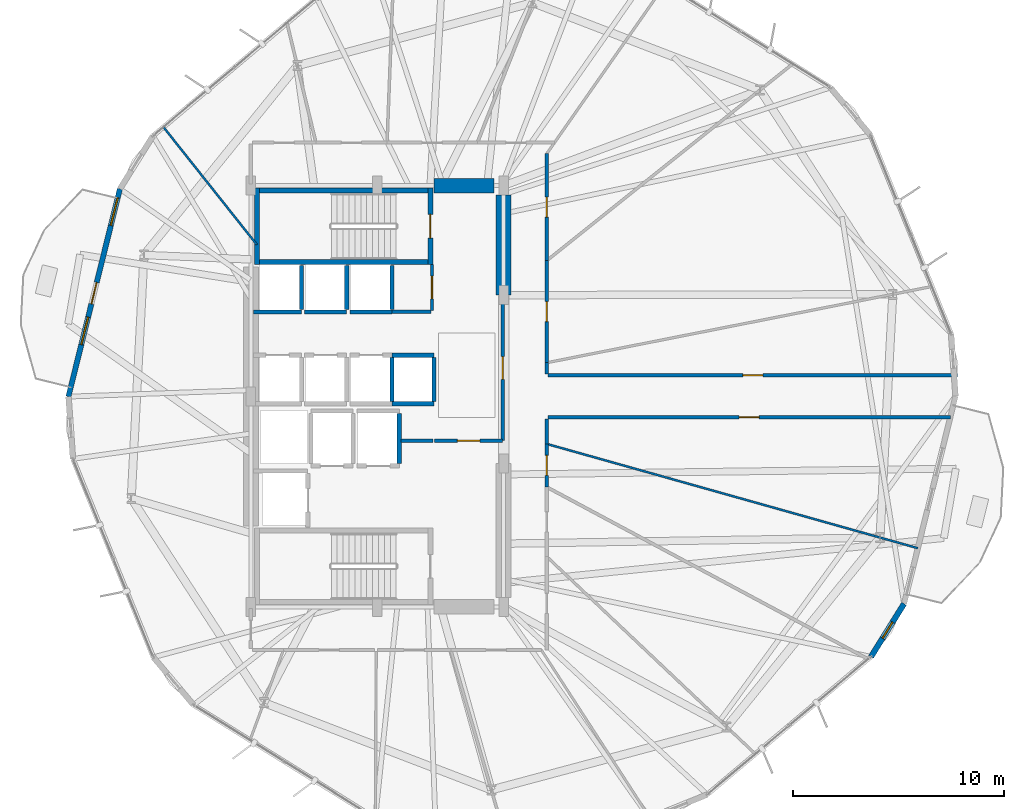
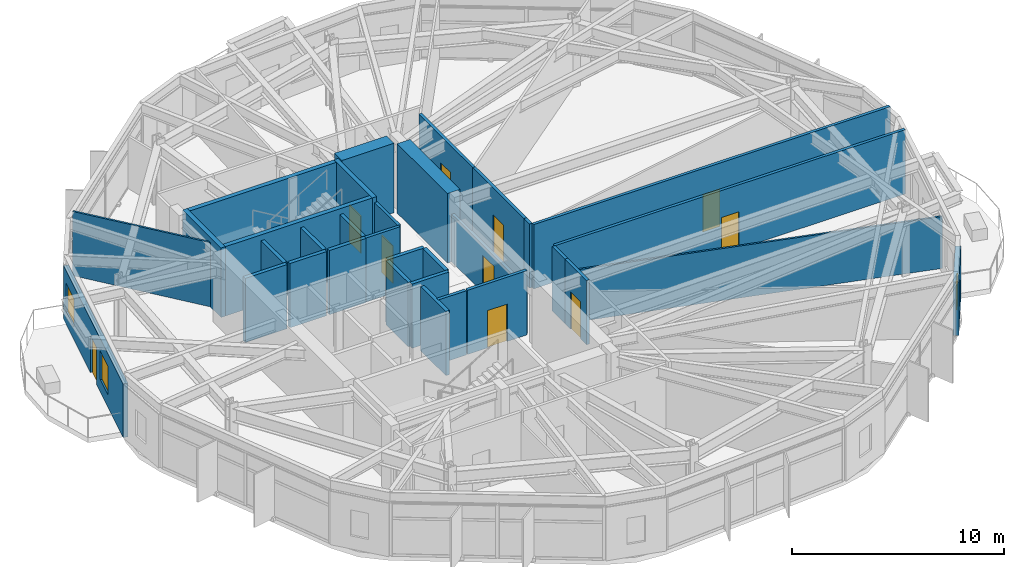
# One storey, part 17 of 22: 33 walls, 10 doors, 3 windows, 13 openings.
"""IFC4 building model written with IfcOpenShell, lengths in metres."""

from ifc_helpers import new_model, si_unit, direction, frame, frame_2d, origin, place, context, subcontext, project, spatial, rectangle, extrude, material, layer, layer_set, type_object, element, fill, save


model = new_model("IFC4")

# Units and contexts
model_context = context("Model", 3, precision=1e-05, world=origin(), true_north=direction((0.0, 1.0)))
body_context = subcontext(model_context, "Body", "Model", "MODEL_VIEW")
ifc_project = project(units=[si_unit("LENGTHUNIT", "METRE"), si_unit("AREAUNIT", "SQUARE_METRE"), si_unit("VOLUMEUNIT", "CUBIC_METRE"), si_unit("PLANEANGLEUNIT", "RADIAN"), si_unit("MASSUNIT", "GRAM", prefix="KILO")], contexts=[model_context])

# Site, building, storey
site_placement = place(None, origin())
site = spatial("IfcSite", under=ifc_project, at=site_placement, CompositionType="ELEMENT")
building_placement = place(site_placement, origin())
building = spatial("IfcBuilding", under=site, at=building_placement, Name="Soratama Intermodal Tower", CompositionType="ELEMENT")
storey_placement = place(building_placement, frame((0.0, 0.0, 42.60009765625)))
storey = spatial("IfcBuildingStorey", under=building, at=storey_placement, Name="L09", CompositionType="ELEMENT", Elevation=42.60009765625)

# Wall, openings, door, windows
ifc_material_1 = material(Name="Concrete f'c 42 MPa", Category="concrete")
ifc_layer_1 = layer(ifc_material_1, 0.25)
ifc_layer_set_1 = layer_set([ifc_layer_1], Name="Concrete f'c 42 MPa")
wall_type_1 = type_object("IfcWallType", Name="EW-BAL-250", PredefinedType="SOLIDWALL", material=ifc_layer_set_1)
wall_1_placement = place(storey_placement, frame((26.38037109375, 34.851318359375, 0.0), z_axis=(0.0, 0.0, 1.0), x_axis=(-0.2405572261, -0.970634957629, 0.0)))
wall_1 = element("IfcWall", 1, at=wall_1_placement, inside=storey, type_object=wall_type_1, Name="L09 Terrace Wall F05", PredefinedType="SOLIDWALL", context=body_context, shape_type="SweptSolid", body=[
    extrude(rectangle(XDim=10.165283203125, YDim=0.25, at=frame_2d((5.08251953125, 0.0))), origin(), (0.0, 0.0, 1.0), 3.078857421875),
])
opening_1_placement = place(wall_1_placement, frame((4.58251953125, 0.0, 0.0)))
opening_1 = element("IfcOpeningElement", 2, at=opening_1_placement, cuts=wall_1, Name="Opening ED-5", PredefinedType="OPENING", context=body_context, shape_type="SweptSolid", body=[
    extrude(rectangle(XDim=1.050048828125, YDim=2.14990234375, at=frame_2d((0.52490234375, 1.074951171875))), frame((0.0, 0.135009765625, 0.0), z_axis=(0.0, -1.0, 0.0), x_axis=(1.0, 0.0, 0.0)), (0.0, 0.0, 1.0), 0.27001953125),
])
opening_2_placement = place(wall_1_placement, frame((0.43994140625, 0.0, 0.719970703125)))
opening_2 = element("IfcOpeningElement", 3, at=opening_2_placement, cuts=wall_1, Name="Opening WN-4", PredefinedType="OPENING", context=body_context, shape_type="SweptSolid", body=[
    extrude(rectangle(XDim=1.35009765625, YDim=1.64990234375, at=frame_2d((0.675048828125, 0.824951171875))), frame((0.0, 0.135009765625, 0.0), z_axis=(0.0, -1.0, 0.0), x_axis=(1.0, 0.0, 0.0)), (0.0, 0.0, 1.0), 0.27001953125),
])
opening_3_placement = place(wall_1_placement, frame((6.272705078125, 0.0, 0.719970703125)))
opening_3 = element("IfcOpeningElement", 4, at=opening_3_placement, cuts=wall_1, Name="Opening WN-4", PredefinedType="OPENING", context=body_context, shape_type="SweptSolid", body=[
    extrude(rectangle(XDim=1.35009765625, YDim=1.64990234375, at=frame_2d((0.675048828125, 0.824951171875))), frame((0.0, 0.135009765625, 0.0), z_axis=(0.0, -1.0, 0.0), x_axis=(1.0, 0.0, 0.0)), (0.0, 0.0, 1.0), 0.27001953125),
])
ifc_material_2 = material(Name="Double-glazed aluminium door", Category="aluminium")
door_type_1 = type_object("IfcDoorType", Name="DR-BAL-1050", OperationType="NOTDEFINED", PredefinedType="DOOR", material=ifc_material_2)
door_1_placement = place(opening_1_placement, origin())
door_1 = element("IfcDoor", 5, at=door_1_placement, inside=storey, type_object=door_type_1, Name="L09 Balcony Door F05", OperationType="SINGLE_SWING_LEFT", OverallHeight=2.14990234375, OverallWidth=1.050048828125, PredefinedType="DOOR", context=body_context, shape_type="SweptSolid", body=[
    extrude(rectangle(XDim=1.050048828125, YDim=2.14990234375, at=frame_2d((0.52490234375, 1.074951171875))), frame((0.0, 0.02490234375, 0.0), z_axis=(0.0, -1.0, 0.0), x_axis=(1.0, 0.0, 0.0)), (0.0, 0.0, 1.0), 0.050048828125),
])
fill(opening_1, door_1)
ifc_material_3 = material(Name="Double-glazed aluminium window", Category="aluminium")
window_type_1 = type_object("IfcWindowType", Name="WN-FAC-1350", PartitioningType="SINGLE_PANEL", PredefinedType="WINDOW", material=ifc_material_3)
window_1_placement = place(opening_2_placement, origin())
window_1 = element("IfcWindow", 6, at=window_1_placement, inside=storey, type_object=window_type_1, Name="L09 Window A F05", OverallHeight=1.64990234375, OverallWidth=1.35009765625, PartitioningType="SINGLE_PANEL", PredefinedType="WINDOW", context=body_context, shape_type="SweptSolid", body=[
    extrude(rectangle(XDim=1.35009765625, YDim=1.64990234375, at=frame_2d((0.675048828125, 0.824951171875))), frame((0.0, 0.030029296875, 0.0), z_axis=(0.0, -1.0, 0.0), x_axis=(1.0, 0.0, 0.0)), (0.0, 0.0, 1.0), 0.06005859375),
])
fill(opening_2, window_1)
window_2_placement = place(opening_3_placement, origin())
window_2 = element("IfcWindow", 7, at=window_2_placement, inside=storey, type_object=window_type_1, Name="L09 Window B F05", OverallHeight=1.64990234375, OverallWidth=1.35009765625, PartitioningType="SINGLE_PANEL", PredefinedType="WINDOW", context=body_context, shape_type="SweptSolid", body=[
    extrude(rectangle(XDim=1.35009765625, YDim=1.64990234375, at=frame_2d((0.675048828125, 0.824951171875))), frame((0.0, 0.030029296875, 0.0), z_axis=(0.0, -1.0, 0.0), x_axis=(1.0, 0.0, 0.0)), (0.0, 0.0, 1.0), 0.06005859375),
])
fill(opening_3, window_2)

# Wall, opening, window
ifc_material_4 = material(Name="Concrete f'c 42 MPa", Category="concrete")
ifc_layer_2 = layer(ifc_material_4, 0.27001953125)
ifc_layer_set_2 = layer_set([ifc_layer_2], Name="Concrete f'c 42 MPa")
wall_type_2 = type_object("IfcWallType", Name="EW-CRN-270", PredefinedType="SOLIDWALL", material=ifc_layer_set_2)
wall_2_placement = place(storey_placement, frame((62.051025390625, 12.630859375, 0.0), z_axis=(0.0, 0.0, 1.0), x_axis=(0.528777761123, 0.848760319137, 0.0)))
wall_2 = element("IfcWall", 8, at=wall_2_placement, inside=storey, type_object=wall_type_2, Name="L09 Corner Closure Wall 09", PredefinedType="SOLIDWALL", context=body_context, shape_type="SweptSolid", body=[
    extrude(rectangle(XDim=2.966552734375, YDim=0.27001953125, at=frame_2d((1.4833984375, 0.0))), origin(), (0.0, 0.0, 1.0), 3.078857421875),
])
opening_4_placement = place(wall_2_placement, frame((1.033203125, 0.0, 0.75)))
opening_4 = element("IfcOpeningElement", 9, at=opening_4_placement, cuts=wall_2, Name="Opening WN-6", PredefinedType="OPENING", context=body_context, shape_type="SweptSolid", body=[
    extrude(rectangle(XDim=0.89990234375, YDim=1.5, at=frame_2d((0.449951171875, 0.75))), frame((0.0, 0.14501953125, 0.0), z_axis=(0.0, -1.0, 0.0), x_axis=(1.0, 0.0, 0.0)), (0.0, 0.0, 1.0), 0.2900390625),
])
ifc_material_5 = material(Name="Double-glazed aluminium window", Category="aluminium")
window_type_2 = type_object("IfcWindowType", Name="WN-FAC-900", PartitioningType="SINGLE_PANEL", PredefinedType="WINDOW", material=ifc_material_5)
window_3_placement = place(opening_4_placement, origin())
window_3 = element("IfcWindow", 10, at=window_3_placement, inside=storey, type_object=window_type_2, Name="L09 Corner Window 09", OverallHeight=1.5, OverallWidth=0.89990234375, PartitioningType="SINGLE_PANEL", PredefinedType="WINDOW", context=body_context, shape_type="SweptSolid", body=[
    extrude(rectangle(XDim=0.89990234375, YDim=1.5, at=frame_2d((0.449951171875, 0.75))), frame((0.0, 0.030029296875, 0.0), z_axis=(0.0, -1.0, 0.0), x_axis=(1.0, 0.0, 0.0)), (0.0, 0.0, 1.0), 0.06005859375),
])
fill(opening_4, window_3)

# Wall, opening, door
ifc_material_6 = material(Name="Fire-rated gypsum stud partition", Category="concrete")
ifc_layer_3 = layer(ifc_material_6, 0.159912109375)
ifc_layer_set_3 = layer_set([ifc_layer_3], Name="Fire-rated gypsum stud partition")
wall_type_3 = type_object("IfcWallType", Name="IW-PART-R160", PredefinedType="PARTITIONING", material=ifc_layer_set_3)
wall_3_placement = place(storey_placement, frame((46.719970703125, 26.0, 0.0), z_axis=(0.0, 0.0, 1.0), x_axis=(1.0, 0.0, 0.0)))
wall_3 = element("IfcWall", 11, at=wall_3_placement, inside=storey, type_object=wall_type_3, Name="L09 Partition W-L09-TP001", PredefinedType="PARTITIONING", context=body_context, shape_type="SweptSolid", body=[
    extrude(rectangle(XDim=19.429931640625, YDim=0.159912109375, at=frame_2d((9.71484375, 0.0))), origin(), (0.0, 0.0, 1.0), 3.699951171875),
])
opening_5_placement = place(wall_3_placement, frame((9.239990234375, 0.0, 0.0)))
opening_5 = element("IfcOpeningElement", 12, at=opening_5_placement, cuts=wall_3, Name="Opening ID-3", PredefinedType="OPENING", context=body_context, shape_type="SweptSolid", body=[
    extrude(rectangle(XDim=0.949951171875, YDim=2.14990234375, at=frame_2d((0.47509765625, 1.074951171875))), frame((0.0, 0.08984375, 0.0), z_axis=(0.0, -1.0, 0.0), x_axis=(1.0, 0.0, 0.0)), (0.0, 0.0, 1.0), 0.179931640625),
])
ifc_material_7 = material(Name="Solid hardwood acoustic door", Category="wood")
door_type_2 = type_object("IfcDoorType", Name="DR-ROOM-950", OperationType="NOTDEFINED", PredefinedType="DOOR", material=ifc_material_7)
door_2_placement = place(opening_5_placement, origin())
door_2 = element("IfcDoor", 13, at=door_2_placement, inside=storey, type_object=door_type_2, Name="L09 Door D-L09-TP001", OperationType="SINGLE_SWING_RIGHT", OverallHeight=2.14990234375, OverallWidth=0.949951171875, PredefinedType="DOOR", context=body_context, shape_type="SweptSolid", body=[
    extrude(rectangle(XDim=0.949951171875, YDim=2.14990234375, at=frame_2d((0.47509765625, 1.074951171875))), frame((0.0, 0.02490234375, 0.0), z_axis=(0.0, -1.0, 0.0), x_axis=(1.0, 0.0, 0.0)), (0.0, 0.0, 1.0), 0.050048828125),
])
fill(opening_5, door_2)

wall_4_placement = place(storey_placement, frame((65.81298828125, 24.0, 0.0), z_axis=(0.0, 0.0, 1.0), x_axis=(-1.0, 0.0, 0.0)))
wall_4 = element("IfcWall", 14, at=wall_4_placement, inside=storey, type_object=wall_type_3, Name="L09 Partition W-L09-TP002", PredefinedType="PARTITIONING", context=body_context, shape_type="SweptSolid", body=[
    extrude(rectangle(XDim=19.093017578125, YDim=0.159912109375, at=frame_2d((9.54638671875, 0.0))), origin(), (0.0, 0.0, 1.0), 3.699951171875),
])
opening_6_placement = place(wall_4_placement, frame((9.072021484375, 0.0, 0.0)))
opening_6 = element("IfcOpeningElement", 15, at=opening_6_placement, cuts=wall_4, Name="Opening ID-3", PredefinedType="OPENING", context=body_context, shape_type="SweptSolid", body=[
    extrude(rectangle(XDim=0.949951171875, YDim=2.14990234375, at=frame_2d((0.47509765625, 1.074951171875))), frame((0.0, 0.08984375, 0.0), z_axis=(0.0, -1.0, 0.0), x_axis=(1.0, 0.0, 0.0)), (0.0, 0.0, 1.0), 0.179931640625),
])
door_3_placement = place(opening_6_placement, origin())
door_3 = element("IfcDoor", 16, at=door_3_placement, inside=storey, type_object=door_type_2, Name="L09 Door D-L09-TP002", OperationType="SINGLE_SWING_LEFT", OverallHeight=2.14990234375, OverallWidth=0.949951171875, PredefinedType="DOOR", context=body_context, shape_type="SweptSolid", body=[
    extrude(rectangle(XDim=0.949951171875, YDim=2.14990234375, at=frame_2d((0.47509765625, 1.074951171875))), frame((0.0, 0.02490234375, 0.0), z_axis=(0.0, -1.0, 0.0), x_axis=(1.0, 0.0, 0.0)), (0.0, 0.0, 1.0), 0.050048828125),
])
fill(opening_6, door_3)

wall_5_placement = place(storey_placement, frame((44.56005859375, 29.800048828125, 0.0), z_axis=(0.0, 0.0, 1.0), x_axis=(0.0, -1.0, 0.0)))
wall_5 = element("IfcWall", 17, at=wall_5_placement, inside=storey, type_object=wall_type_3, Name="L09 Partition W-L09-TP015", PredefinedType="PARTITIONING", context=body_context, shape_type="SweptSolid", body=[
    extrude(rectangle(XDim=6.91015625, YDim=0.159912109375, at=frame_2d((3.455078125, 0.0))), origin(), (0.0, 0.0, 1.0), 2.739990234375),
])
opening_7_placement = place(wall_5_placement, frame((2.9150390625, 0.0, 0.0)))
opening_7 = element("IfcOpeningElement", 18, at=opening_7_placement, cuts=wall_5, Name="Opening ID-1", PredefinedType="OPENING", context=body_context, shape_type="SweptSolid", body=[
    extrude(rectangle(XDim=1.080078125, YDim=2.14990234375, at=frame_2d((0.5400390625, 1.074951171875))), frame((0.0, 0.08984375, 0.0), z_axis=(0.0, -1.0, 0.0), x_axis=(1.0, 0.0, 0.0)), (0.0, 0.0, 1.0), 0.179931640625),
])
ifc_material_8 = material(Name="Solid hardwood acoustic door", Category="wood")
door_type_3 = type_object("IfcDoorType", Name="DR-LOB-FD60", OperationType="NOTDEFINED", PredefinedType="DOOR", material=ifc_material_8)
door_4_placement = place(opening_7_placement, origin())
door_4 = element("IfcDoor", 19, at=door_4_placement, inside=storey, type_object=door_type_3, Name="L09 Door D-L09-TP003", OperationType="SINGLE_SWING_RIGHT", OverallHeight=2.14990234375, OverallWidth=1.080078125, PredefinedType="DOOR", context=body_context, shape_type="SweptSolid", body=[
    extrude(rectangle(XDim=1.080078125, YDim=2.14990234375, at=frame_2d((0.5400390625, 1.074951171875))), frame((0.0, 0.02490234375, 0.0), z_axis=(0.0, -1.0, 0.0), x_axis=(1.0, 0.0, 0.0)), (0.0, 0.0, 1.0), 0.050048828125),
])
fill(opening_7, door_4)

wall_6_placement = place(storey_placement, frame((46.64990234375, 36.51904296875, 0.0), z_axis=(0.0, 0.0, 1.0), x_axis=(0.0, -1.0, 0.0)))
wall_6 = element("IfcWall", 20, at=wall_6_placement, inside=storey, type_object=wall_type_3, Name="L09 Partition W-L09-TP017", PredefinedType="PARTITIONING", context=body_context, shape_type="SweptSolid", body=[
    extrude(rectangle(XDim=5.0771484375, YDim=0.159912109375, at=frame_2d((2.53857421875, 0.0))), origin(), (0.0, 0.0, 1.0), 3.699951171875),
])
opening_8_placement = place(wall_6_placement, frame((2.06298828125, 0.0, 0.0)))
opening_8 = element("IfcOpeningElement", 21, at=opening_8_placement, cuts=wall_6, Name="Opening ID-3", PredefinedType="OPENING", context=body_context, shape_type="SweptSolid", body=[
    extrude(rectangle(XDim=0.949951171875, YDim=2.14990234375, at=frame_2d((0.47509765625, 1.074951171875))), frame((0.0, 0.08984375, 0.0), z_axis=(0.0, -1.0, 0.0), x_axis=(1.0, 0.0, 0.0)), (0.0, 0.0, 1.0), 0.179931640625),
])
door_5_placement = place(opening_8_placement, origin())
door_5 = element("IfcDoor", 22, at=door_5_placement, inside=storey, type_object=door_type_2, Name="L09 Door D-L09-TP004", OperationType="SINGLE_SWING_LEFT", OverallHeight=2.14990234375, OverallWidth=0.949951171875, PredefinedType="DOOR", context=body_context, shape_type="SweptSolid", body=[
    extrude(rectangle(XDim=0.949951171875, YDim=2.14990234375, at=frame_2d((0.47509765625, 1.074951171875))), frame((0.0, 0.02490234375, 0.0), z_axis=(0.0, -1.0, 0.0), x_axis=(1.0, 0.0, 0.0)), (0.0, 0.0, 1.0), 0.050048828125),
])
fill(opening_8, door_5)

wall_7_placement = place(storey_placement, frame((46.64990234375, 31.44189453125, 0.0), z_axis=(0.0, 0.0, 1.0), x_axis=(0.0, -1.0, 0.0)))
wall_7 = element("IfcWall", 23, at=wall_7_placement, inside=storey, type_object=wall_type_3, Name="L09 Partition W-L09-TP018", PredefinedType="PARTITIONING", context=body_context, shape_type="SweptSolid", body=[
    extrude(rectangle(XDim=4.848876953125, YDim=0.159912109375, at=frame_2d((2.42431640625, 0.0))), origin(), (0.0, 0.0, 1.0), 3.699951171875),
])
opening_9_placement = place(wall_7_placement, frame((1.949951171875, 0.0, 0.0)))
opening_9 = element("IfcOpeningElement", 24, at=opening_9_placement, cuts=wall_7, Name="Opening ID-3", PredefinedType="OPENING", context=body_context, shape_type="SweptSolid", body=[
    extrude(rectangle(XDim=0.949951171875, YDim=2.14990234375, at=frame_2d((0.47509765625, 1.074951171875))), frame((0.0, 0.08984375, 0.0), z_axis=(0.0, -1.0, 0.0), x_axis=(1.0, 0.0, 0.0)), (0.0, 0.0, 1.0), 0.179931640625),
])
door_6_placement = place(opening_9_placement, origin())
door_6 = element("IfcDoor", 25, at=door_6_placement, inside=storey, type_object=door_type_2, Name="L09 Door D-L09-TP005", OperationType="SINGLE_SWING_RIGHT", OverallHeight=2.14990234375, OverallWidth=0.949951171875, PredefinedType="DOOR", context=body_context, shape_type="SweptSolid", body=[
    extrude(rectangle(XDim=0.949951171875, YDim=2.14990234375, at=frame_2d((0.47509765625, 1.074951171875))), frame((0.0, 0.02490234375, 0.0), z_axis=(0.0, -1.0, 0.0), x_axis=(1.0, 0.0, 0.0)), (0.0, 0.0, 1.0), 0.050048828125),
])
fill(opening_9, door_6)

wall_8_placement = place(storey_placement, frame((41.199951171875, 29.070068359375, 0.0), z_axis=(0.0, 0.0, 1.0), x_axis=(0.0, 1.0, 0.0)))
wall_8 = element("IfcWall", 26, at=wall_8_placement, inside=storey, type_object=wall_type_3, Name="L09 Partition W-L09-TP030", PredefinedType="PARTITIONING", context=body_context, shape_type="SweptSolid", body=[
    extrude(rectangle(XDim=2.18994140625, YDim=0.159912109375, at=frame_2d((1.094970703125, 0.0))), origin(), (0.0, 0.0, 1.0), 3.699951171875),
])
opening_10_placement = place(wall_8_placement, frame((0.554931640625, 0.0, 0.0)))
opening_10 = element("IfcOpeningElement", 27, at=opening_10_placement, cuts=wall_8, Name="Opening ID-1", PredefinedType="OPENING", context=body_context, shape_type="SweptSolid", body=[
    extrude(rectangle(XDim=1.080078125, YDim=2.14990234375, at=frame_2d((0.5400390625, 1.074951171875))), frame((0.0, 0.08984375, 0.0), z_axis=(0.0, -1.0, 0.0), x_axis=(1.0, 0.0, 0.0)), (0.0, 0.0, 1.0), 0.179931640625),
])
door_7_placement = place(opening_10_placement, origin())
door_7 = element("IfcDoor", 28, at=door_7_placement, inside=storey, type_object=door_type_3, Name="L09 Door D-L09-TP016", OperationType="SINGLE_SWING_LEFT", OverallHeight=2.14990234375, OverallWidth=1.080078125, PredefinedType="DOOR", context=body_context, shape_type="SweptSolid", body=[
    extrude(rectangle(XDim=1.080078125, YDim=2.14990234375, at=frame_2d((0.5400390625, 1.074951171875))), frame((0.0, 0.02490234375, 0.0), z_axis=(0.0, -1.0, 0.0), x_axis=(1.0, 0.0, 0.0)), (0.0, 0.0, 1.0), 0.050048828125),
])
fill(opening_10, door_7)

wall_9_placement = place(storey_placement, frame((46.64990234375, 22.738037109375, 0.0), z_axis=(0.0, 0.0, 1.0), x_axis=(0.0, -1.0, 0.0)))
wall_9 = element("IfcWall", 29, at=wall_9_placement, inside=storey, type_object=wall_type_3, Name="L09 Partition W-L09-TP031", PredefinedType="PARTITIONING", context=body_context, shape_type="SweptSolid", body=[
    extrude(rectangle(XDim=2.049072265625, YDim=0.159912109375, at=frame_2d((1.0244140625, 0.0))), origin(), (0.0, 0.0, 1.0), 3.699951171875),
])
opening_11_placement = place(wall_9_placement, frame((0.549072265625, 0.0, 0.0)))
opening_11 = element("IfcOpeningElement", 30, at=opening_11_placement, cuts=wall_9, Name="Opening ID-3", PredefinedType="OPENING", context=body_context, shape_type="SweptSolid", body=[
    extrude(rectangle(XDim=0.949951171875, YDim=2.14990234375, at=frame_2d((0.47509765625, 1.074951171875))), frame((0.0, 0.08984375, 0.0), z_axis=(0.0, -1.0, 0.0), x_axis=(1.0, 0.0, 0.0)), (0.0, 0.0, 1.0), 0.179931640625),
])
door_8_placement = place(opening_11_placement, origin())
door_8 = element("IfcDoor", 31, at=door_8_placement, inside=storey, type_object=door_type_2, Name="L09 Door D-L09-TP017", OperationType="SINGLE_SWING_RIGHT", OverallHeight=2.14990234375, OverallWidth=0.949951171875, PredefinedType="DOOR", context=body_context, shape_type="SweptSolid", body=[
    extrude(rectangle(XDim=0.949951171875, YDim=2.14990234375, at=frame_2d((0.47509765625, 1.074951171875))), frame((0.0, 0.02490234375, 0.0), z_axis=(0.0, -1.0, 0.0), x_axis=(1.0, 0.0, 0.0)), (0.0, 0.0, 1.0), 0.050048828125),
])
fill(opening_11, door_8)

# Walls
wall_10_placement = place(storey_placement, frame((39.300048828125, 29.010009765625, 0.0), z_axis=(0.0, 0.0, 1.0), x_axis=(1.0, 0.0, 0.0)))
element("IfcWall", 32, at=wall_10_placement, inside=storey, type_object=wall_type_3, Name="L09 Partition W-L09-TP034", PredefinedType="PARTITIONING", context=body_context, shape_type="SweptSolid", body=[
    extrude(rectangle(XDim=1.85986328125, YDim=0.159912109375, at=frame_2d((0.929931640625, 0.0))), origin(), (0.0, 0.0, 1.0), 3.699951171875),
])
wall_11_placement = place(storey_placement, frame((46.64990234375, 23.929931640625, 0.0), z_axis=(0.0, 0.0, 1.0), x_axis=(0.0, -1.0, 0.0)))
element("IfcWall", 33, at=wall_11_placement, inside=storey, type_object=wall_type_3, Name="L09 Partition W-L09-TP037", PredefinedType="PARTITIONING", context=body_context, shape_type="SweptSolid", body=[
    extrude(rectangle(XDim=1.19189453125, YDim=0.159912109375, at=frame_2d((0.595947265625, 0.0))), origin(), (0.0, 0.0, 1.0), 3.699951171875),
])
wall_12_placement = place(storey_placement, frame((46.64990234375, 26.593017578125, 0.0), z_axis=(0.0, 0.0, 1.0), x_axis=(0.0, -1.0, 0.0)))
element("IfcWall", 34, at=wall_12_placement, inside=storey, type_object=wall_type_3, Name="L09 Partition W-L09-TP038", PredefinedType="PARTITIONING", context=body_context, shape_type="SweptSolid", body=[
    extrude(rectangle(XDim=0.52294921875, YDim=0.159912109375, at=frame_2d((0.261474609375, 0.0))), origin(), (0.0, 0.0, 1.0), 3.699951171875),
])

# Wall, opening, door
ifc_material_9 = material(Name="Fire-rated gypsum stud partition", Category="concrete")
ifc_layer_4 = layer(ifc_material_9, 0.169921875)
ifc_layer_set_4 = layer_set([ifc_layer_4], Name="Fire-rated gypsum stud partition")
wall_type_4 = type_object("IfcWallType", Name="IW-PART-R170", PredefinedType="PARTITIONING", material=ifc_layer_set_4)
wall_13_placement = place(storey_placement, frame((41.320068359375, 22.889892578125, 0.0), z_axis=(0.0, 0.0, 1.0), x_axis=(1.0, 0.0, 0.0)))
wall_13 = element("IfcWall", 35, at=wall_13_placement, inside=storey, type_object=wall_type_4, Name="L09 Partition W-L09-TP028", PredefinedType="PARTITIONING", context=body_context, shape_type="SweptSolid", body=[
    extrude(rectangle(XDim=3.239990234375, YDim=0.169921875, at=frame_2d((1.6201171875, 0.0))), origin(), (0.0, 0.0, 1.0), 3.699951171875),
])
opening_12_placement = place(wall_13_placement, frame((1.080078125, 0.0, 0.0)))
opening_12 = element("IfcOpeningElement", 36, at=opening_12_placement, cuts=wall_13, Name="Opening ID-0", PredefinedType="OPENING", context=body_context, shape_type="SweptSolid", body=[
    extrude(rectangle(XDim=1.080078125, YDim=2.14990234375, at=frame_2d((0.5400390625, 1.074951171875))), frame((0.0, 0.094970703125, 0.0), z_axis=(0.0, -1.0, 0.0), x_axis=(1.0, 0.0, 0.0)), (0.0, 0.0, 1.0), 0.18994140625),
])
ifc_material_10 = material(Name="Solid hardwood acoustic door", Category="wood")
door_type_4 = type_object("IfcDoorType", Name="DR-LOB-FD90", OperationType="NOTDEFINED", PredefinedType="DOOR", material=ifc_material_10)
door_9_placement = place(opening_12_placement, origin())
door_9 = element("IfcDoor", 37, at=door_9_placement, inside=storey, type_object=door_type_4, Name="L09 Door D-L09-TP014", OperationType="SINGLE_SWING_LEFT", OverallHeight=2.14990234375, OverallWidth=1.080078125, PredefinedType="DOOR", context=body_context, shape_type="SweptSolid", body=[
    extrude(rectangle(XDim=1.080078125, YDim=2.14990234375, at=frame_2d((0.5400390625, 1.074951171875))), frame((0.0, 0.02490234375, 0.0), z_axis=(0.0, -1.0, 0.0), x_axis=(1.0, 0.0, 0.0)), (0.0, 0.0, 1.0), 0.050048828125),
])
fill(opening_12, door_9)

# Walls
wall_14_placement = place(storey_placement, frame((39.719970703125, 22.889892578125, 0.0), z_axis=(0.0, 0.0, 1.0), x_axis=(1.0, 0.0, 0.0)))
element("IfcWall", 38, at=wall_14_placement, inside=storey, type_object=wall_type_4, Name="L09 Partition W-L09-TP035", PredefinedType="PARTITIONING", context=body_context, shape_type="SweptSolid", body=[
    extrude(rectangle(XDim=1.52001953125, YDim=0.169921875, at=frame_2d((0.760009765625, 0.0))), origin(), (0.0, 0.0, 1.0), 3.699951171875),
])
ifc_material_11 = material(Name="Fire-rated gypsum stud partition", Category="concrete")
ifc_layer_5 = layer(ifc_material_11, 0.10009765625)
ifc_layer_set_5 = layer_set([ifc_layer_5], Name="Fire-rated gypsum stud partition")
wall_type_5 = type_object("IfcWallType", Name="IW-PART-S100", PredefinedType="PARTITIONING", material=ifc_layer_set_5)
wall_15_placement = place(storey_placement, frame((46.64990234375, 22.738037109375, 0.0), z_axis=(0.0, 0.0, 1.0), x_axis=(0.962729980638, -0.270464386531, 0.0)))
element("IfcWall", 39, at=wall_15_placement, inside=storey, type_object=wall_type_5, Name="L09 Partition W-L09-TP004", PredefinedType="PARTITIONING", context=body_context, shape_type="SweptSolid", body=[
    extrude(rectangle(XDim=18.30517578125, YDim=0.10009765625, at=frame_2d((9.152587890625, 0.0))), origin(), (0.0, 0.0, 1.0), 2.994873046875),
])
wall_16_placement = place(storey_placement, frame((32.8798828125, 32.201904296875, 0.0), z_axis=(0.0, 0.0, 1.0), x_axis=(-0.621839537778, 0.783144679645, 0.0)))
element("IfcWall", 40, at=wall_16_placement, inside=storey, type_object=wall_type_5, Name="L09 Partition W-L09-TP014", PredefinedType="PARTITIONING", context=body_context, shape_type="SweptSolid", body=[
    extrude(rectangle(XDim=7.1318359375, YDim=0.10009765625, at=frame_2d((3.56591796875, 0.0))), origin(), (0.0, 0.0, 1.0), 3.699951171875),
])
ifc_material_12 = material(Name="Concrete f'c 42 MPa", Category="concrete")
ifc_layer_6 = layer(ifc_material_12, 0.199951171875)
ifc_layer_set_6 = layer_set([ifc_layer_6], Name="Concrete f'c 42 MPa")
wall_type_6 = type_object("IfcWallType", Name="IW-SHAFT-200", PredefinedType="SOLIDWALL", material=ifc_layer_set_6)
wall_17_placement = place(storey_placement, frame((39.64990234375, 21.81005859375, 0.0), z_axis=(0.0, 0.0, 1.0), x_axis=(0.0, 1.0, 0.0)))
element("IfcWall", 41, at=wall_17_placement, inside=storey, type_object=wall_type_6, Name="L09 FFL-2 Hoistway Wall E", PredefinedType="SOLIDWALL", context=body_context, shape_type="SweptSolid", body=[
    extrude(rectangle(XDim=2.3798828125, YDim=0.199951171875, at=frame_2d((1.18994140625, 0.0))), origin(), (0.0, 0.0, 1.0), 3.699951171875),
])
wall_18_placement = place(storey_placement, frame((39.300048828125, 24.760009765625, 0.0), z_axis=(0.0, 0.0, 1.0), x_axis=(0.0, 1.0, 0.0)))
element("IfcWall", 42, at=wall_18_placement, inside=storey, type_object=wall_type_6, Name="L09 PL-L3 Hoistway Wall E", PredefinedType="SOLIDWALL", context=body_context, shape_type="SweptSolid", body=[
    extrude(rectangle(XDim=2.080078125, YDim=0.199951171875, at=frame_2d((1.0400390625, 0.0))), origin(), (0.0, 0.0, 1.0), 3.699951171875),
])
for number, where, z_axis, x_axis, name in (
    (43, (39.300048828125, 24.64990234375, 0.0), (0.0, 0.0, 1.0), (1.0, 0.0, 0.0), "L09 PL-M1 Hoistway Wall S"),
    (44, (39.300048828125, 26.949951171875, 0.0), (0.0, 0.0, 1.0), (1.0, 0.0, 0.0), "L09 PL-M1 Hoistway Wall N"),
):
    element("IfcWall", number, at=place(storey_placement, frame(where, z_axis=z_axis, x_axis=x_axis)), inside=storey, type_object=wall_type_6, Name=name, PredefinedType="SOLIDWALL", context=body_context, shape_type="SweptSolid", body=[
        extrude(rectangle(XDim=2.0, YDim=0.199951171875, at=frame_2d((1.0, 0.0))), origin(), (0.0, 0.0, 1.0), 3.699951171875),
    ])
wall_19_placement = place(storey_placement, frame((41.300048828125, 24.760009765625, 0.0), z_axis=(0.0, 0.0, 1.0), x_axis=(0.0, 1.0, 0.0)))
element("IfcWall", 45, at=wall_19_placement, inside=storey, type_object=wall_type_6, Name="L09 PL-M1 Hoistway Wall E", PredefinedType="SOLIDWALL", context=body_context, shape_type="SweptSolid", body=[
    extrude(rectangle(XDim=2.080078125, YDim=0.199951171875, at=frame_2d((1.0400390625, 0.0))), origin(), (0.0, 0.0, 1.0), 3.699951171875),
])
wall_20_placement = place(storey_placement, frame((32.719970703125, 29.0, 0.0), z_axis=(0.0, 0.0, 1.0), x_axis=(1.0, 0.0, 0.0)))
element("IfcWall", 46, at=wall_20_placement, inside=storey, type_object=wall_type_6, Name="L09 PL-M2 Hoistway Wall S", PredefinedType="SOLIDWALL", context=body_context, shape_type="SweptSolid", body=[
    extrude(rectangle(XDim=2.280029296875, YDim=0.199951171875, at=frame_2d((1.14013671875, 0.0))), origin(), (0.0, 0.0, 1.0), 3.699951171875),
])
wall_21_placement = place(storey_placement, frame((35.0, 29.110107421875, 0.0), z_axis=(0.0, 0.0, 1.0), x_axis=(0.0, 1.0, 0.0)))
element("IfcWall", 47, at=wall_21_placement, inside=storey, type_object=wall_type_6, Name="L09 PL-M2 Hoistway Wall E", PredefinedType="SOLIDWALL", context=body_context, shape_type="SweptSolid", body=[
    extrude(rectangle(XDim=2.099853515625, YDim=0.199951171875, at=frame_2d((1.0498046875, 0.0))), origin(), (0.0, 0.0, 1.0), 3.699951171875),
])
wall_22_placement = place(storey_placement, frame((35.14990234375, 29.0, 0.0), z_axis=(0.0, 0.0, 1.0), x_axis=(1.0, 0.0, 0.0)))
element("IfcWall", 48, at=wall_22_placement, inside=storey, type_object=wall_type_6, Name="L09 PL-H1 Hoistway Wall S", PredefinedType="SOLIDWALL", context=body_context, shape_type="SweptSolid", body=[
    extrude(rectangle(XDim=2.0, YDim=0.199951171875, at=frame_2d((1.0, 0.0))), origin(), (0.0, 0.0, 1.0), 3.699951171875),
])
wall_23_placement = place(storey_placement, frame((37.14990234375, 29.110107421875, 0.0), z_axis=(0.0, 0.0, 1.0), x_axis=(0.0, 1.0, 0.0)))
element("IfcWall", 49, at=wall_23_placement, inside=storey, type_object=wall_type_6, Name="L09 PL-H1 Hoistway Wall E", PredefinedType="SOLIDWALL", context=body_context, shape_type="SweptSolid", body=[
    extrude(rectangle(XDim=2.099853515625, YDim=0.199951171875, at=frame_2d((1.0498046875, 0.0))), origin(), (0.0, 0.0, 1.0), 3.699951171875),
])
wall_24_placement = place(storey_placement, frame((37.300048828125, 29.0, 0.0), z_axis=(0.0, 0.0, 1.0), x_axis=(1.0, 0.0, 0.0)))
element("IfcWall", 50, at=wall_24_placement, inside=storey, type_object=wall_type_6, Name="L09 PL-H2 Hoistway Wall S", PredefinedType="SOLIDWALL", context=body_context, shape_type="SweptSolid", body=[
    extrude(rectangle(XDim=2.0, YDim=0.199951171875, at=frame_2d((1.0, 0.0))), origin(), (0.0, 0.0, 1.0), 3.699951171875),
])
wall_25_placement = place(storey_placement, frame((39.300048828125, 29.110107421875, 0.0), z_axis=(0.0, 0.0, 1.0), x_axis=(0.0, 1.0, 0.0)))
element("IfcWall", 51, at=wall_25_placement, inside=storey, type_object=wall_type_6, Name="L09 PL-H2 Hoistway Wall E", PredefinedType="SOLIDWALL", context=body_context, shape_type="SweptSolid", body=[
    extrude(rectangle(XDim=2.099853515625, YDim=0.199951171875, at=frame_2d((1.0498046875, 0.0))), origin(), (0.0, 0.0, 1.0), 3.699951171875),
])
ifc_material_13 = material(Name="Concrete f'c 56 MPa", Category="concrete")
ifc_layer_7 = layer(ifc_material_13, 0.699951171875)
ifc_layer_set_7 = layer_set([ifc_layer_7], Name="Concrete f'c 56 MPa")
wall_type_7 = type_object("IfcWallType", Name="SW-CORE-700", PredefinedType="SHEAR", material=ifc_layer_set_7)
wall_26_placement = place(storey_placement, frame((41.300048828125, 35.0, 0.0), z_axis=(0.0, 0.0, 1.0), x_axis=(1.0, 0.0, 0.0)))
element("IfcWall", 52, at=wall_26_placement, inside=storey, type_object=wall_type_7, Name="L09 Core Shear Wall CW-NE", PredefinedType="SHEAR", context=body_context, shape_type="SweptSolid", body=[
    extrude(rectangle(XDim=2.849853515625, YDim=0.699951171875, at=frame_2d((1.4248046875, 0.0))), origin(), (0.0, 0.0, 1.0), 4.0),
])
wall_27_placement = place(storey_placement, frame((44.60009765625, 29.800048828125, 0.0), z_axis=(0.0, 0.0, 1.0), x_axis=(0.0, 1.0, 0.0)))
element("IfcWall", 53, at=wall_27_placement, inside=storey, type_object=wall_type_7, Name="L09 Core Shear Wall CW-EN", PredefinedType="SHEAR", context=body_context, shape_type="SweptSolid", body=[
    extrude(rectangle(XDim=4.75, YDim=0.699951171875, at=frame_2d((2.375, 0.0))), origin(), (0.0, 0.0, 1.0), 4.0),
])
ifc_material_14 = material(Name="Concrete f'c 56 MPa", Category="concrete")
ifc_layer_8 = layer(ifc_material_14, 0.239990234375)
ifc_layer_set_8 = layer_set([ifc_layer_8], Name="Concrete f'c 56 MPa")
wall_type_8 = type_object("IfcWallType", Name="SW-STAIR-240", PredefinedType="SHEAR", material=ifc_layer_set_8)
wall_28_placement = place(storey_placement, frame((32.8798828125, 31.260009765625, 0.0), z_axis=(0.0, 0.0, 1.0), x_axis=(0.0, 1.0, 0.0)))
element("IfcWall", 54, at=wall_28_placement, inside=storey, type_object=wall_type_8, Name="L09 ST-2 Shaft Shear Wall W", PredefinedType="SHEAR", context=body_context, shape_type="SweptSolid", body=[
    extrude(rectangle(XDim=3.6298828125, YDim=0.239990234375, at=frame_2d((1.81494140625, 0.0))), origin(), (0.0, 0.0, 1.0), 4.0),
])

# Wall, opening, door
wall_29_placement = place(storey_placement, frame((41.1201171875, 31.260009765625, 0.0), z_axis=(0.0, 0.0, 1.0), x_axis=(0.0, 1.0, 0.0)))
wall_29 = element("IfcWall", 55, at=wall_29_placement, inside=storey, type_object=wall_type_8, Name="L09 ST-2 Shaft Shear Wall E", PredefinedType="SHEAR", context=body_context, shape_type="SweptSolid", body=[
    extrude(rectangle(XDim=3.6298828125, YDim=0.239990234375, at=frame_2d((1.81494140625, 0.0))), origin(), (0.0, 0.0, 1.0), 4.0),
])
opening_13_placement = place(wall_29_placement, frame((1.2548828125, 0.0, 0.0)))
opening_13 = element("IfcOpeningElement", 56, at=opening_13_placement, cuts=wall_29, Name="Opening SD-1", PredefinedType="OPENING", context=body_context, shape_type="SweptSolid", body=[
    extrude(rectangle(XDim=1.1201171875, YDim=2.14990234375, at=frame_2d((0.56005859375, 1.074951171875))), frame((0.0, 0.1298828125, 0.0), z_axis=(0.0, -1.0, 0.0), x_axis=(1.0, 0.0, 0.0)), (0.0, 0.0, 1.0), 0.260009765625),
])
ifc_material_15 = material(Name="Steel fire door", Category="steel")
door_type_5 = type_object("IfcDoorType", Name="DR-STAIR-FD90", OperationType="NOTDEFINED", PredefinedType="DOOR", material=ifc_material_15)
door_10_placement = place(opening_13_placement, origin())
door_10 = element("IfcDoor", 57, at=door_10_placement, inside=storey, type_object=door_type_5, Name="L09 ST-2 Exit Stair Door", OperationType="SINGLE_SWING_RIGHT", OverallHeight=2.14990234375, OverallWidth=1.1201171875, PredefinedType="DOOR", context=body_context, shape_type="SweptSolid", body=[
    extrude(rectangle(XDim=1.1201171875, YDim=2.14990234375, at=frame_2d((0.56005859375, 1.074951171875))), frame((0.0, 0.02490234375, 0.0), z_axis=(0.0, -1.0, 0.0), x_axis=(1.0, 0.0, 0.0)), (0.0, 0.0, 1.0), 0.050048828125),
])
fill(opening_13, door_10)

# Walls
for number, where, z_axis, x_axis, name in (
    (58, (33.0, 31.3798828125, 0.0), (0.0, 0.0, 1.0), (1.0, 0.0, 0.0), "L09 ST-2 Shaft Shear Wall S"),
    (59, (33.0, 34.77001953125, 0.0), (0.0, 0.0, 1.0), (1.0, 0.0, 0.0), "L09 ST-2 Shaft Shear Wall N"),
):
    element("IfcWall", number, at=place(storey_placement, frame(where, z_axis=z_axis, x_axis=x_axis)), inside=storey, type_object=wall_type_8, Name=name, PredefinedType="SHEAR", context=body_context, shape_type="SweptSolid", body=[
        extrude(rectangle(XDim=8.0, YDim=0.239990234375, at=frame_2d((4.0, 0.0))), origin(), (0.0, 0.0, 1.0), 4.0),
    ])

save(model, "model.ifc")
